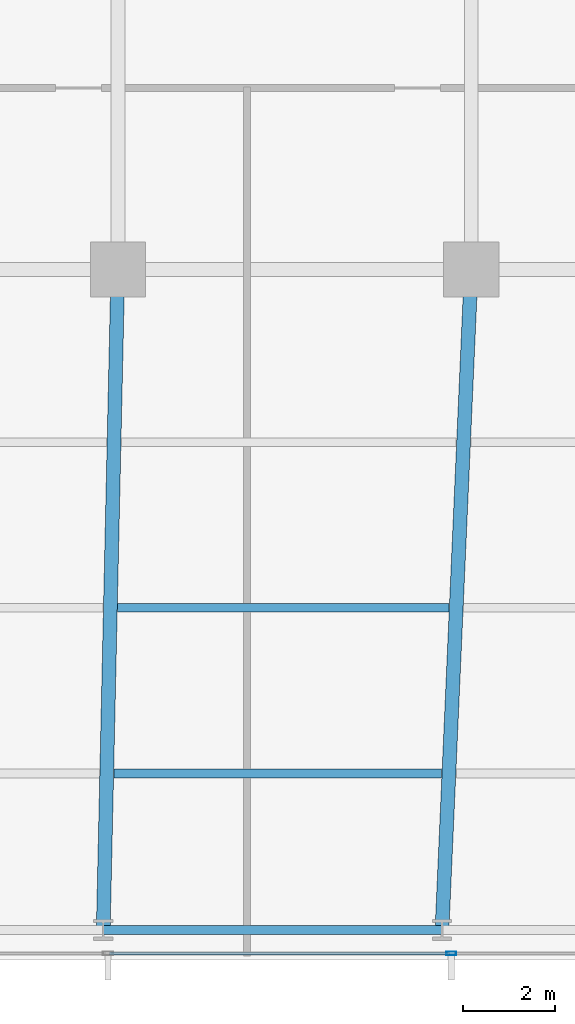
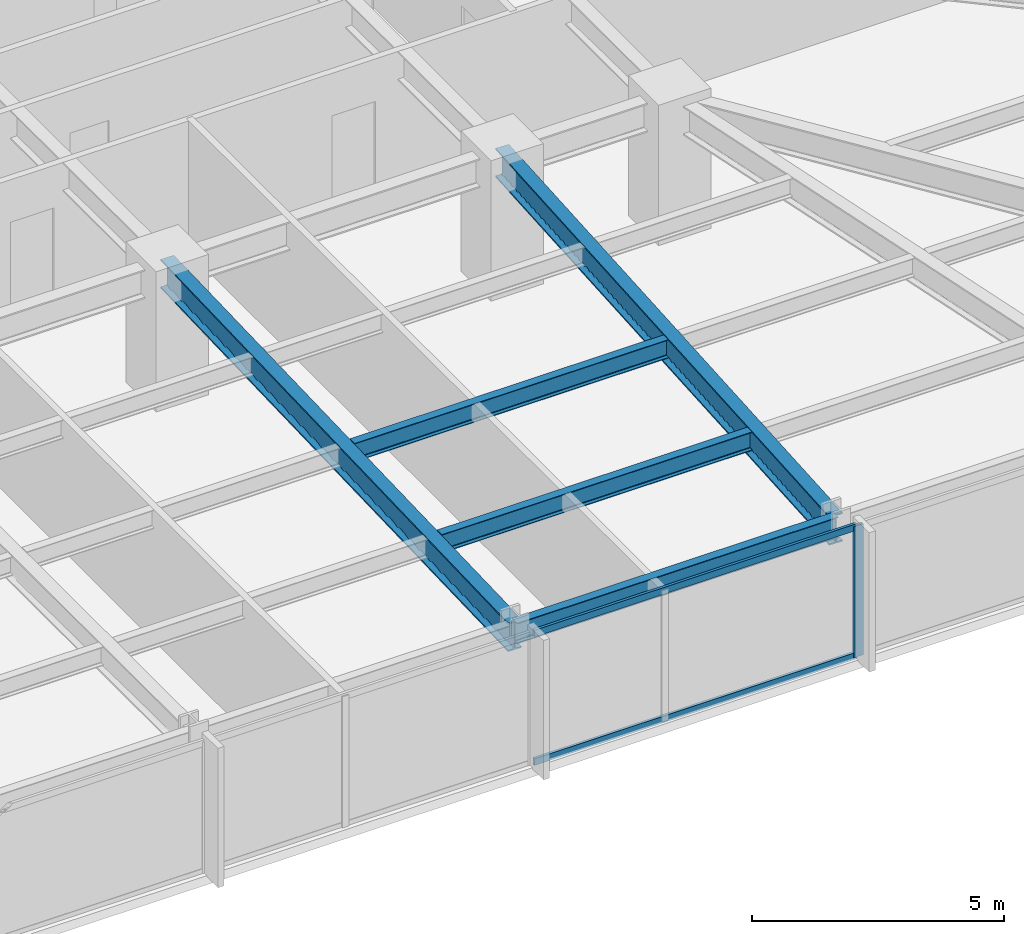
# One storey, part 12 of 33: 5 beams, 3 members, 1 element without a shape of its own.
"""IFC4 building model written with IfcOpenShell, lengths in metres."""

from ifc_helpers import new_model, si_unit, direction, frame, origin, origin_2d, place, context, subcontext, project, spatial, hollow_rectangle, i_section, extrude, material, material_profile, profile_set, type_object, element, aggregate, save


model = new_model("IFC4")

# Units and contexts
model_context = context("Model", 3, precision=1e-05, world=origin(), true_north=direction((0.0, 1.0)))
body_context = subcontext(model_context, "Body", "Model", "MODEL_VIEW")
ifc_project = project(units=[si_unit("LENGTHUNIT", "METRE"), si_unit("AREAUNIT", "SQUARE_METRE"), si_unit("VOLUMEUNIT", "CUBIC_METRE"), si_unit("PLANEANGLEUNIT", "RADIAN"), si_unit("MASSUNIT", "GRAM", prefix="KILO")], contexts=[model_context])

# Site, building, storey
site_placement = place(None, origin())
site = spatial("IfcSite", under=ifc_project, at=site_placement, CompositionType="ELEMENT")
building_placement = place(site_placement, origin())
building = spatial("IfcBuilding", under=site, at=building_placement, Name="Yelkora Congress Tower", CompositionType="ELEMENT")
storey_placement = place(building_placement, frame((0.0, 0.0, 64.39990234375)))
storey = spatial("IfcBuildingStorey", under=building, at=storey_placement, Name="L16", CompositionType="ELEMENT", Elevation=64.39990234375)

# Beams
ifc_material_1 = material(Name="Steel S355J2", Category="steel")
ifc_material_profile_1 = material_profile(ifc_material_1, i_section(OverallWidth=0.300048828125, OverallDepth=0.699951171875, WebThickness=0.01708984375, FlangeThickness=0.031982421875, FilletRadius=0.027099609375, at=origin_2d()), Name="HEB 700")
ifc_profile_set_1 = profile_set([ifc_material_profile_1], Name="Steel S355J2")
beam_type_1 = type_object("IfcBeamType", Name="BM-GIRD-HEB700", PredefinedType="BEAM", material=ifc_profile_set_1)
beam_1_placement = place(storey_placement, frame((45.762451171875, 10.85009765625, 2.830078125), z_axis=(0.022129088136, 0.999755121746, 0.0), x_axis=(-0.999755121746, 0.022129088136, 0.0)))
element("IfcBeam", 1, at=beam_1_placement, inside=storey, type_object=beam_type_1, Name="L16 Primary Frame Girder S06", PredefinedType="BEAM", context=body_context, shape_type="SweptSolid", body=[
    extrude(i_section(OverallWidth=0.300048828125, OverallDepth=0.699951171875, WebThickness=0.01708984375, FlangeThickness=0.031982421875, FilletRadius=0.027099609375, at=origin_2d()), origin(), (0.0, 0.0, 1.0), 14.353271484375),
])
beam_2_placement = place(storey_placement, frame((53.125, 10.85009765625, 2.830078125), z_axis=(0.044208738849, 0.999022315771, 0.0), x_axis=(-0.999022315771, 0.044208738849, 0.0)))
element("IfcBeam", 2, at=beam_2_placement, inside=storey, type_object=beam_type_1, Name="L16 Primary Frame Girder S07", PredefinedType="BEAM", context=body_context, shape_type="SweptSolid", body=[
    extrude(i_section(OverallWidth=0.300048828125, OverallDepth=0.699951171875, WebThickness=0.01708984375, FlangeThickness=0.031982421875, FilletRadius=0.027099609375, at=origin_2d()), origin(), (0.0, 0.0, 1.0), 14.364013671875),
])
ifc_material_profile_2 = material_profile(ifc_material_1, i_section(OverallWidth=0.18994140625, OverallDepth=0.449951171875, WebThickness=0.009521484375, FlangeThickness=0.0146484375, FilletRadius=0.02099609375, at=origin_2d()), Name="IPE 450")
ifc_profile_set_2 = profile_set([ifc_material_profile_2], Name="Steel S355J2")
beam_type_2 = type_object("IfcBeamType", Name="BM-JOIST-IPE450", PredefinedType="JOIST", material=ifc_profile_set_2)
beam_3_placement = place(storey_placement, frame((45.997802734375, 14.25, 2.955078125), z_axis=(1.0, 0.0, 0.0), x_axis=(0.0, 1.0, 0.0)))
element("IfcBeam", 3, at=beam_3_placement, inside=storey, type_object=beam_type_2, Name="L16 Composite Floor Joist 6", PredefinedType="JOIST", context=body_context, shape_type="SweptSolid", body=[
    extrude(i_section(OverallWidth=0.18994140625, OverallDepth=0.449951171875, WebThickness=0.009521484375, FlangeThickness=0.0146484375, FilletRadius=0.02099609375, at=origin_2d()), origin(), (0.0, 0.0, 1.0), 7.11767578125),
])
beam_4_placement = place(storey_placement, frame((46.077392578125, 17.85009765625, 2.955078125), z_axis=(1.0, 0.0, 0.0), x_axis=(0.0, 1.0, 0.0)))
element("IfcBeam", 4, at=beam_4_placement, inside=storey, type_object=beam_type_2, Name="L16 Composite Floor Joist 14", PredefinedType="JOIST", context=body_context, shape_type="SweptSolid", body=[
    extrude(i_section(OverallWidth=0.18994140625, OverallDepth=0.449951171875, WebThickness=0.009521484375, FlangeThickness=0.0146484375, FilletRadius=0.02099609375, at=origin_2d()), origin(), (0.0, 0.0, 1.0), 7.197509765625),
])
ifc_material_profile_3 = material_profile(ifc_material_1, i_section(OverallWidth=0.199951171875, OverallDepth=0.5, WebThickness=0.01025390625, FlangeThickness=0.01611328125, FilletRadius=0.02099609375, at=origin_2d()), Name="IPE 500")
ifc_profile_set_3 = profile_set([ifc_material_profile_3], Name="Steel S355J2")
beam_type_3 = type_object("IfcBeamType", Name="BM-SPAN-IPE500", PredefinedType="SPANDREL", material=ifc_profile_set_3)
beam_5_placement = place(storey_placement, frame((45.762451171875, 10.85009765625, 2.93017578125), z_axis=(1.0, 0.0, 0.0), x_axis=(0.0, 1.0, 0.0)))
element("IfcBeam", 5, at=beam_5_placement, inside=storey, type_object=beam_type_3, Name="L16 Perimeter Beam 7", PredefinedType="SPANDREL", context=body_context, shape_type="SweptSolid", body=[
    extrude(i_section(OverallWidth=0.199951171875, OverallDepth=0.5, WebThickness=0.01025390625, FlangeThickness=0.01611328125, FilletRadius=0.02099609375, at=origin_2d()), origin(), (0.0, 0.0, 1.0), 7.362548828125),
])

# Curtain wall, members
ifc_material_2 = material(Name="Anodised aluminium and insulated glass", Category="aluminium")
curtain_wall_type = type_object("IfcCurtainWallType", Name="CW-SYS-B1", PredefinedType="NOTDEFINED", material=ifc_material_2)
curtain_wall_placement = place(storey_placement, origin())
curtain_wall = element("IfcCurtainWall", 6, at=curtain_wall_placement, inside=storey, type_object=curtain_wall_type, Name="L16 Unitised Curtain Wall 20", PredefinedType="NOTDEFINED")
ifc_material_3 = material(Name="Anodised aluminium 6063-T6", Category="aluminium")
ifc_material_profile_4 = material_profile(ifc_material_3, hollow_rectangle(XDim=0.074951171875, YDim=0.219970703125, WallThickness=0.0048828125, at=origin_2d()), Name="ALU 75x220x5")
ifc_profile_set_4 = profile_set([ifc_material_profile_4], Name="Anodised aluminium 6063-T6")
member_type_1 = type_object("IfcMemberType", Name="MEM-ML-B1", PredefinedType="MULLION", material=ifc_profile_set_4)
member_1_placement = place(storey_placement, frame((53.330078125, 10.340087890625, 0.0), z_axis=(0.0, 0.0, 1.0), x_axis=(0.0, -1.0, 0.0)))
member_1 = element("IfcMember", 7, at=member_1_placement, type_object=member_type_1, Name="CW-B1 mullion 3", PredefinedType="MULLION", context=body_context, shape_type="SweptSolid", body=[
    extrude(hollow_rectangle(XDim=0.074951171875, YDim=0.219970703125, WallThickness=0.0048828125, at=origin_2d()), origin(), (0.0, 0.0, 1.0), 3.18017578125),
])
ifc_material_profile_5 = material_profile(ifc_material_3, hollow_rectangle(XDim=0.06494140625, YDim=0.159912109375, WallThickness=0.00390625, at=origin_2d()), Name="ALU 65x160x4")
ifc_profile_set_5 = profile_set([ifc_material_profile_5], Name="Anodised aluminium 6063-T6")
member_type_2 = type_object("IfcMemberType", Name="MEM-TR-B1", PredefinedType="USERDEFINED", material=ifc_profile_set_5)
member_2_placement = place(storey_placement, frame((53.29248046875, 10.340087890625, 0.03271484375), z_axis=(-1.0, 0.0, 0.0), x_axis=(0.0, -1.0, 0.0)))
member_2 = element("IfcMember", 8, at=member_2_placement, type_object=member_type_2, Name="CW-B1 transom 3.1", ObjectType="TRANSOM", PredefinedType="USERDEFINED", context=body_context, shape_type="SweptSolid", body=[
    extrude(hollow_rectangle(XDim=0.06494140625, YDim=0.159912109375, WallThickness=0.00390625, at=origin_2d()), origin(), (0.0, 0.0, 1.0), 7.389892578125),
])
member_3_placement = place(storey_placement, frame((53.29248046875, 10.340087890625, 3.147705078125), z_axis=(-1.0, 0.0, 0.0), x_axis=(0.0, -1.0, 0.0)))
member_3 = element("IfcMember", 9, at=member_3_placement, type_object=member_type_2, Name="CW-B1 transom 3.2", ObjectType="TRANSOM", PredefinedType="USERDEFINED", context=body_context, shape_type="SweptSolid", body=[
    extrude(hollow_rectangle(XDim=0.06494140625, YDim=0.159912109375, WallThickness=0.00390625, at=origin_2d()), origin(), (0.0, 0.0, 1.0), 7.389892578125),
])
aggregate(curtain_wall, [member_1, member_2, member_3])

save(model, "model.ifc")
